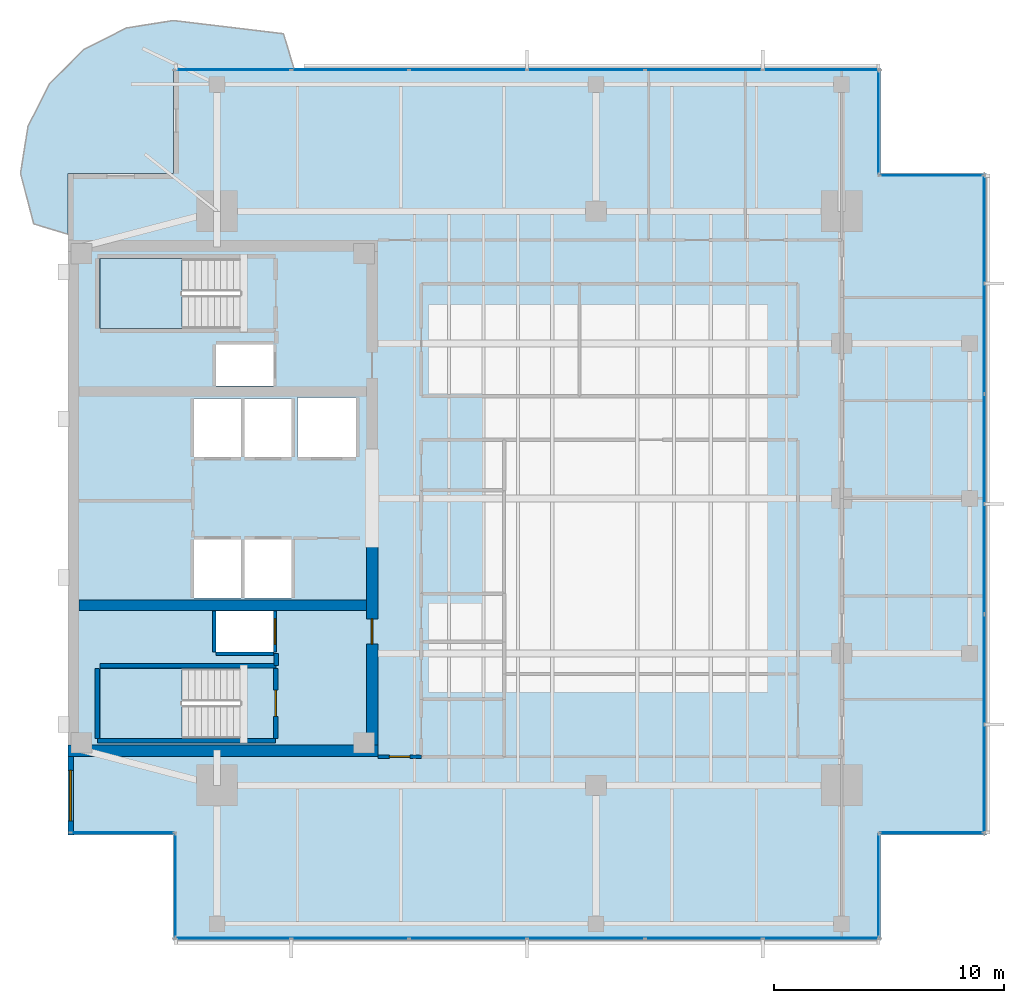
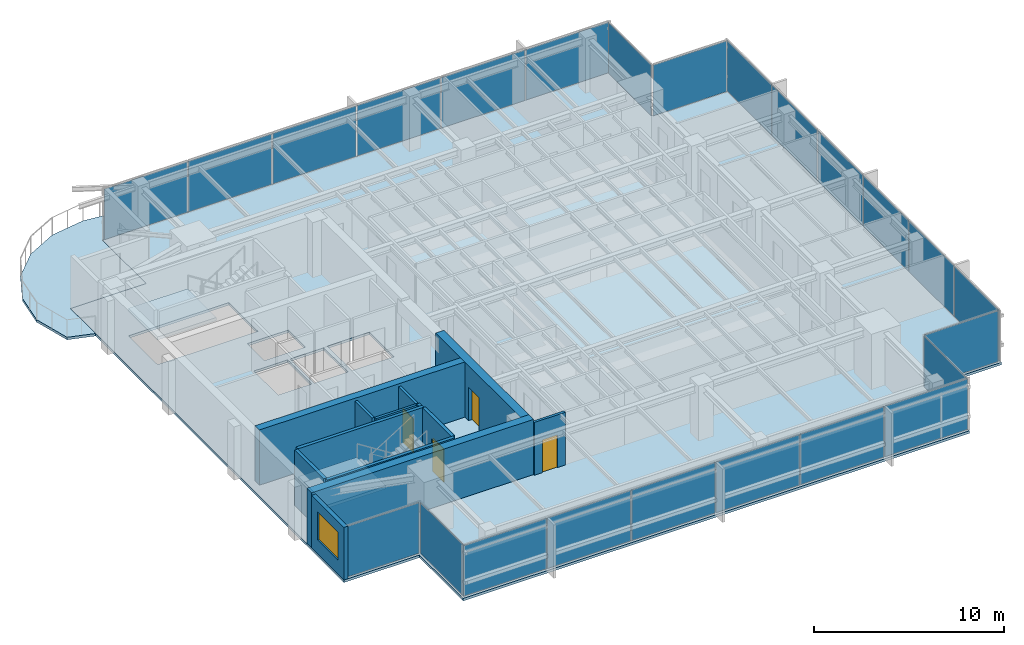
# One storey, part 7 of 14: 24 plates, 13 walls, 4 doors, 4 slabs, 1 window, 5 openings, 11 elements without a shape of their own.
"""IFC4 building model written with IfcOpenShell, lengths in metres."""

from ifc_helpers import new_model, si_unit, direction, frame, frame_2d, origin, origin_2d, place, context, subcontext, project, spatial, polyline, rectangle, outline, extrude, material, layer, layer_set, type_object, element, fill, aggregate, save


model = new_model("IFC4")

# Units and contexts
model_context = context("Model", 3, precision=1e-05, world=origin(), true_north=direction((0.0, 1.0)))
body_context = subcontext(model_context, "Body", "Model", "MODEL_VIEW")
ifc_project = project(units=[si_unit("LENGTHUNIT", "METRE"), si_unit("AREAUNIT", "SQUARE_METRE"), si_unit("VOLUMEUNIT", "CUBIC_METRE"), si_unit("PLANEANGLEUNIT", "RADIAN"), si_unit("MASSUNIT", "GRAM", prefix="KILO")], contexts=[model_context])

# Site, building, storey
site_placement = place(None, origin())
site = spatial("IfcSite", under=ifc_project, at=site_placement, CompositionType="ELEMENT")
building_placement = place(site_placement, origin())
building = spatial("IfcBuilding", under=site, at=building_placement, Name="Kinhvarn Gate Tower", CompositionType="ELEMENT")
storey_placement = place(building_placement, frame((0.0, 0.0, 281.199951171875)))
storey = spatial("IfcBuildingStorey", under=building, at=storey_placement, Name="L75", CompositionType="ELEMENT", Elevation=281.199951171875)

# Curtain wall, plates
ifc_material_1 = material(Name="Anodised aluminium AW-6063", Category="aluminium")
ifc_layer_1 = layer(ifc_material_1, 0.179931640625)
ifc_layer_set_1 = layer_set([ifc_layer_1], Name="Anodised aluminium AW-6063")
curtain_wall_type_1 = type_object("IfcCurtainWallType", Name="CW-SYS-3", PredefinedType="NOTDEFINED", material=ifc_layer_set_1)
curtain_wall_1_placement = place(storey_placement, origin())
curtain_wall_1 = element("IfcCurtainWall", 1, at=curtain_wall_1_placement, inside=storey, type_object=curtain_wall_type_1, Name="Curtain Wall CW3 (L75)", PredefinedType="NOTDEFINED")
ifc_material_2 = material(Name="Clear low-e double glazing", Category="glass")
ifc_layer_2 = layer(ifc_material_2, 0.031982421875)
ifc_layer_set_2 = layer_set([ifc_layer_2], Name="Clear low-e double glazing")
plate_type = type_object("IfcPlateType", Name="CW-PNL-VIS", PredefinedType="CURTAIN_PANEL", material=ifc_layer_set_2)
plate_1_placement = place(storey_placement, frame((11.682861328125, 6.090087890625, 0.070068359375), z_axis=(0.0, 0.0, 1.0), x_axis=(1.0, 0.0, 0.0)))
plate_1 = element("IfcPlate", 2, at=plate_1_placement, type_object=plate_type, Name="CW3 panel 1.1", PredefinedType="CURTAIN_PANEL", context=body_context, shape_type="SweptSolid", body=[
    extrude(rectangle(XDim=5.035888671875, YDim=0.031982421875, at=origin_2d()), origin(), (0.0, 0.0, 1.0), 3.25),
])
plate_2_placement = place(storey_placement, frame((16.800048828125, 6.090087890625, 0.070068359375), z_axis=(0.0, 0.0, 1.0), x_axis=(1.0, 0.0, 0.0)))
plate_2 = element("IfcPlate", 3, at=plate_2_placement, type_object=plate_type, Name="CW3 panel 2.1", PredefinedType="CURTAIN_PANEL", context=body_context, shape_type="SweptSolid", body=[
    extrude(rectangle(XDim=5.068359375, YDim=0.031982421875, at=origin_2d()), origin(), (0.0, 0.0, 1.0), 3.25),
])
plate_3_placement = place(storey_placement, frame((21.933349609375, 6.090087890625, 0.070068359375), z_axis=(0.0, 0.0, 1.0), x_axis=(1.0, 0.0, 0.0)))
plate_3 = element("IfcPlate", 4, at=plate_3_placement, type_object=plate_type, Name="CW3 panel 3.1", PredefinedType="CURTAIN_PANEL", context=body_context, shape_type="SweptSolid", body=[
    extrude(rectangle(XDim=5.068359375, YDim=0.031982421875, at=origin_2d()), origin(), (0.0, 0.0, 1.0), 3.25),
])
plate_4_placement = place(storey_placement, frame((27.066650390625, 6.090087890625, 0.070068359375), z_axis=(0.0, 0.0, 1.0), x_axis=(1.0, 0.0, 0.0)))
plate_4 = element("IfcPlate", 5, at=plate_4_placement, type_object=plate_type, Name="CW3 panel 4.1", PredefinedType="CURTAIN_PANEL", context=body_context, shape_type="SweptSolid", body=[
    extrude(rectangle(XDim=5.068359375, YDim=0.031982421875, at=origin_2d()), origin(), (0.0, 0.0, 1.0), 3.25),
])
plate_5_placement = place(storey_placement, frame((32.199951171875, 6.090087890625, 0.070068359375), z_axis=(0.0, 0.0, 1.0), x_axis=(1.0, 0.0, 0.0)))
plate_5 = element("IfcPlate", 6, at=plate_5_placement, type_object=plate_type, Name="CW3 panel 5.1", PredefinedType="CURTAIN_PANEL", context=body_context, shape_type="SweptSolid", body=[
    extrude(rectangle(XDim=5.068359375, YDim=0.031982421875, at=origin_2d()), origin(), (0.0, 0.0, 1.0), 3.25),
])
plate_6_placement = place(storey_placement, frame((37.317138671875, 6.090087890625, 0.070068359375), z_axis=(0.0, 0.0, 1.0), x_axis=(1.0, 0.0, 0.0)))
plate_6 = element("IfcPlate", 7, at=plate_6_placement, type_object=plate_type, Name="CW3 panel 6.1", PredefinedType="CURTAIN_PANEL", context=body_context, shape_type="SweptSolid", body=[
    extrude(rectangle(XDim=5.035888671875, YDim=0.031982421875, at=origin_2d()), origin(), (0.0, 0.0, 1.0), 3.25),
])
aggregate(curtain_wall_1, [plate_1, plate_2, plate_3, plate_4, plate_5, plate_6])

curtain_wall_2_placement = place(storey_placement, origin())
curtain_wall_2 = element("IfcCurtainWall", 8, at=curtain_wall_2_placement, inside=storey, type_object=curtain_wall_type_1, Name="Curtain Wall CW3 (L75)", PredefinedType="NOTDEFINED")
plate_7_placement = place(storey_placement, frame((37.317138671875, 43.909912109375, 0.070068359375), z_axis=(0.0, 0.0, 1.0), x_axis=(-1.0, 0.0, 0.0)))
plate_7 = element("IfcPlate", 9, at=plate_7_placement, type_object=plate_type, Name="CW3 panel 1.1", PredefinedType="CURTAIN_PANEL", context=body_context, shape_type="SweptSolid", body=[
    extrude(rectangle(XDim=5.035888671875, YDim=0.031982421875, at=origin_2d()), origin(), (0.0, 0.0, 1.0), 3.25),
])
plate_8_placement = place(storey_placement, frame((32.199951171875, 43.909912109375, 0.070068359375), z_axis=(0.0, 0.0, 1.0), x_axis=(-1.0, 0.0, 0.0)))
plate_8 = element("IfcPlate", 10, at=plate_8_placement, type_object=plate_type, Name="CW3 panel 2.1", PredefinedType="CURTAIN_PANEL", context=body_context, shape_type="SweptSolid", body=[
    extrude(rectangle(XDim=5.068359375, YDim=0.031982421875, at=origin_2d()), origin(), (0.0, 0.0, 1.0), 3.25),
])
plate_9_placement = place(storey_placement, frame((27.066650390625, 43.909912109375, 0.070068359375), z_axis=(0.0, 0.0, 1.0), x_axis=(-1.0, 0.0, 0.0)))
plate_9 = element("IfcPlate", 11, at=plate_9_placement, type_object=plate_type, Name="CW3 panel 3.1", PredefinedType="CURTAIN_PANEL", context=body_context, shape_type="SweptSolid", body=[
    extrude(rectangle(XDim=5.068359375, YDim=0.031982421875, at=origin_2d()), origin(), (0.0, 0.0, 1.0), 3.25),
])
plate_10_placement = place(storey_placement, frame((21.933349609375, 43.909912109375, 0.070068359375), z_axis=(0.0, 0.0, 1.0), x_axis=(-1.0, 0.0, 0.0)))
plate_10 = element("IfcPlate", 12, at=plate_10_placement, type_object=plate_type, Name="CW3 panel 4.1", PredefinedType="CURTAIN_PANEL", context=body_context, shape_type="SweptSolid", body=[
    extrude(rectangle(XDim=5.068359375, YDim=0.031982421875, at=origin_2d()), origin(), (0.0, 0.0, 1.0), 3.25),
])
plate_11_placement = place(storey_placement, frame((16.800048828125, 43.909912109375, 0.070068359375), z_axis=(0.0, 0.0, 1.0), x_axis=(-1.0, 0.0, 0.0)))
plate_11 = element("IfcPlate", 13, at=plate_11_placement, type_object=plate_type, Name="CW3 panel 5.1", PredefinedType="CURTAIN_PANEL", context=body_context, shape_type="SweptSolid", body=[
    extrude(rectangle(XDim=5.068359375, YDim=0.031982421875, at=origin_2d()), origin(), (0.0, 0.0, 1.0), 3.25),
])
plate_12_placement = place(storey_placement, frame((11.682861328125, 43.909912109375, 0.070068359375), z_axis=(0.0, 0.0, 1.0), x_axis=(-1.0, 0.0, 0.0)))
plate_12 = element("IfcPlate", 14, at=plate_12_placement, type_object=plate_type, Name="CW3 panel 6.1", PredefinedType="CURTAIN_PANEL", context=body_context, shape_type="SweptSolid", body=[
    extrude(rectangle(XDim=5.035888671875, YDim=0.031982421875, at=origin_2d()), origin(), (0.0, 0.0, 1.0), 3.25),
])
aggregate(curtain_wall_2, [plate_7, plate_8, plate_9, plate_10, plate_11, plate_12])

curtain_wall_3_placement = place(storey_placement, origin())
curtain_wall_3 = element("IfcCurtainWall", 15, at=curtain_wall_3_placement, inside=storey, type_object=curtain_wall_type_1, Name="Curtain Wall CW3 (L75)", PredefinedType="NOTDEFINED")
plate_13_placement = place(storey_placement, frame((44.409912109375, 13.016357421875, 0.070068359375), z_axis=(0.0, 0.0, 1.0), x_axis=(0.0, 1.0, 0.0)))
plate_13 = element("IfcPlate", 16, at=plate_13_placement, type_object=plate_type, Name="CW3 panel 1.1", PredefinedType="CURTAIN_PANEL", context=body_context, shape_type="SweptSolid", body=[
    extrude(rectangle(XDim=4.702392578125, YDim=0.031982421875, at=origin_2d()), origin(), (0.0, 0.0, 1.0), 3.25),
])
plate_14_placement = place(storey_placement, frame((44.409912109375, 17.800048828125, 0.070068359375), z_axis=(0.0, 0.0, 1.0), x_axis=(0.0, 1.0, 0.0)))
plate_14 = element("IfcPlate", 17, at=plate_14_placement, type_object=plate_type, Name="CW3 panel 2.1", PredefinedType="CURTAIN_PANEL", context=body_context, shape_type="SweptSolid", body=[
    extrude(rectangle(XDim=4.735107421875, YDim=0.031982421875, at=origin_2d()), origin(), (0.0, 0.0, 1.0), 3.25),
])
plate_15_placement = place(storey_placement, frame((44.409912109375, 22.60009765625, 0.070068359375), z_axis=(0.0, 0.0, 1.0), x_axis=(0.0, 1.0, 0.0)))
plate_15 = element("IfcPlate", 18, at=plate_15_placement, type_object=plate_type, Name="CW3 panel 3.1", PredefinedType="CURTAIN_PANEL", context=body_context, shape_type="SweptSolid", body=[
    extrude(rectangle(XDim=4.735107421875, YDim=0.031982421875, at=origin_2d()), origin(), (0.0, 0.0, 1.0), 3.25),
])
plate_16_placement = place(storey_placement, frame((44.409912109375, 27.39990234375, 0.070068359375), z_axis=(0.0, 0.0, 1.0), x_axis=(0.0, 1.0, 0.0)))
plate_16 = element("IfcPlate", 19, at=plate_16_placement, type_object=plate_type, Name="CW3 panel 4.1", PredefinedType="CURTAIN_PANEL", context=body_context, shape_type="SweptSolid", body=[
    extrude(rectangle(XDim=4.735107421875, YDim=0.031982421875, at=origin_2d()), origin(), (0.0, 0.0, 1.0), 3.25),
])
plate_17_placement = place(storey_placement, frame((44.409912109375, 32.199951171875, 0.070068359375), z_axis=(0.0, 0.0, 1.0), x_axis=(0.0, 1.0, 0.0)))
plate_17 = element("IfcPlate", 20, at=plate_17_placement, type_object=plate_type, Name="CW3 panel 5.1", PredefinedType="CURTAIN_PANEL", context=body_context, shape_type="SweptSolid", body=[
    extrude(rectangle(XDim=4.735107421875, YDim=0.031982421875, at=origin_2d()), origin(), (0.0, 0.0, 1.0), 3.25),
])
plate_18_placement = place(storey_placement, frame((44.409912109375, 36.983642578125, 0.070068359375), z_axis=(0.0, 0.0, 1.0), x_axis=(0.0, 1.0, 0.0)))
plate_18 = element("IfcPlate", 21, at=plate_18_placement, type_object=plate_type, Name="CW3 panel 6.1", PredefinedType="CURTAIN_PANEL", context=body_context, shape_type="SweptSolid", body=[
    extrude(rectangle(XDim=4.702392578125, YDim=0.031982421875, at=origin_2d()), origin(), (0.0, 0.0, 1.0), 3.25),
])
aggregate(curtain_wall_3, [plate_13, plate_14, plate_15, plate_16, plate_17, plate_18])

# Curtain wall, plate
ifc_layer_3 = layer(ifc_material_1, 0.179931640625)
ifc_layer_set_3 = layer_set([ifc_layer_3], Name="Anodised aluminium AW-6063")
curtain_wall_type_2 = type_object("IfcCurtainWallType", Name="CW-SYS-4", PredefinedType="NOTDEFINED", material=ifc_layer_set_3)
curtain_wall_4_placement = place(storey_placement, origin())
curtain_wall_4 = element("IfcCurtainWall", 22, at=curtain_wall_4_placement, inside=storey, type_object=curtain_wall_type_2, Name="Curtain Wall CW4 (L75)", PredefinedType="NOTDEFINED")
plate_19_placement = place(storey_placement, frame((6.889892578125, 10.68994140625, 0.06494140625), z_axis=(0.0, 0.0, 1.0), x_axis=(1.0, 0.0, 0.0)))
plate_19 = element("IfcPlate", 23, at=plate_19_placement, type_object=plate_type, Name="CW4 panel 1.1", PredefinedType="CURTAIN_PANEL", context=body_context, shape_type="SweptSolid", body=[
    extrude(rectangle(XDim=4.469970703125, YDim=0.031982421875, at=origin_2d()), origin(), (0.0, 0.0, 1.0), 3.260009765625),
])
aggregate(curtain_wall_4, [plate_19])

curtain_wall_5_placement = place(storey_placement, origin())
curtain_wall_5 = element("IfcCurtainWall", 24, at=curtain_wall_5_placement, inside=storey, type_object=curtain_wall_type_2, Name="Curtain Wall CW4 (L75)", PredefinedType="NOTDEFINED")
plate_20_placement = place(storey_placement, frame((9.18994140625, 8.389892578125, 0.06494140625), z_axis=(0.0, 0.0, 1.0), x_axis=(0.0, -1.0, 0.0)))
plate_20 = element("IfcPlate", 25, at=plate_20_placement, type_object=plate_type, Name="CW4 panel 1.1", PredefinedType="CURTAIN_PANEL", context=body_context, shape_type="SweptSolid", body=[
    extrude(rectangle(XDim=4.469970703125, YDim=0.031982421875, at=origin_2d()), origin(), (0.0, 0.0, 1.0), 3.260009765625),
])
aggregate(curtain_wall_5, [plate_20])

curtain_wall_6_placement = place(storey_placement, origin())
curtain_wall_6 = element("IfcCurtainWall", 26, at=curtain_wall_6_placement, inside=storey, type_object=curtain_wall_type_2, Name="Curtain Wall CW4 (L75)", PredefinedType="NOTDEFINED")
plate_21_placement = place(storey_placement, frame((39.81005859375, 8.389892578125, 0.06494140625), z_axis=(0.0, 0.0, 1.0), x_axis=(0.0, 1.0, 0.0)))
plate_21 = element("IfcPlate", 27, at=plate_21_placement, type_object=plate_type, Name="CW4 panel 1.1", PredefinedType="CURTAIN_PANEL", context=body_context, shape_type="SweptSolid", body=[
    extrude(rectangle(XDim=4.469970703125, YDim=0.031982421875, at=origin_2d()), origin(), (0.0, 0.0, 1.0), 3.260009765625),
])
aggregate(curtain_wall_6, [plate_21])

curtain_wall_7_placement = place(storey_placement, origin())
curtain_wall_7 = element("IfcCurtainWall", 28, at=curtain_wall_7_placement, inside=storey, type_object=curtain_wall_type_2, Name="Curtain Wall CW4 (L75)", PredefinedType="NOTDEFINED")
plate_22_placement = place(storey_placement, frame((42.110107421875, 10.68994140625, 0.06494140625), z_axis=(0.0, 0.0, 1.0), x_axis=(1.0, 0.0, 0.0)))
plate_22 = element("IfcPlate", 29, at=plate_22_placement, type_object=plate_type, Name="CW4 panel 1.1", PredefinedType="CURTAIN_PANEL", context=body_context, shape_type="SweptSolid", body=[
    extrude(rectangle(XDim=4.469970703125, YDim=0.031982421875, at=origin_2d()), origin(), (0.0, 0.0, 1.0), 3.260009765625),
])
aggregate(curtain_wall_7, [plate_22])

curtain_wall_8_placement = place(storey_placement, origin())
curtain_wall_8 = element("IfcCurtainWall", 30, at=curtain_wall_8_placement, inside=storey, type_object=curtain_wall_type_2, Name="Curtain Wall CW4 (L75)", PredefinedType="NOTDEFINED")
plate_23_placement = place(storey_placement, frame((42.110107421875, 39.31005859375, 0.06494140625), z_axis=(0.0, 0.0, 1.0), x_axis=(-1.0, 0.0, 0.0)))
plate_23 = element("IfcPlate", 31, at=plate_23_placement, type_object=plate_type, Name="CW4 panel 1.1", PredefinedType="CURTAIN_PANEL", context=body_context, shape_type="SweptSolid", body=[
    extrude(rectangle(XDim=4.469970703125, YDim=0.031982421875, at=origin_2d()), origin(), (0.0, 0.0, 1.0), 3.260009765625),
])
aggregate(curtain_wall_8, [plate_23])

curtain_wall_9_placement = place(storey_placement, origin())
curtain_wall_9 = element("IfcCurtainWall", 32, at=curtain_wall_9_placement, inside=storey, type_object=curtain_wall_type_2, Name="Curtain Wall CW4 (L75)", PredefinedType="NOTDEFINED")
plate_24_placement = place(storey_placement, frame((39.81005859375, 41.610107421875, 0.06494140625), z_axis=(0.0, 0.0, 1.0), x_axis=(0.0, 1.0, 0.0)))
plate_24 = element("IfcPlate", 33, at=plate_24_placement, type_object=plate_type, Name="CW4 panel 1.1", PredefinedType="CURTAIN_PANEL", context=body_context, shape_type="SweptSolid", body=[
    extrude(rectangle(XDim=4.469970703125, YDim=0.031982421875, at=origin_2d()), origin(), (0.0, 0.0, 1.0), 3.260009765625),
])
aggregate(curtain_wall_9, [plate_24])

# Slabs
ifc_material_3 = material(Name="Precast white architectural concrete C40/50", Category="concrete")
ifc_layer_4 = layer(ifc_material_3, 0.159912109375)
ifc_layer_set_4 = layer_set([ifc_layer_4], Name="Precast white architectural concrete C40/50")
slab_type_1 = type_object("IfcSlabType", Name="SLB-BAL-160", PredefinedType="FLOOR", material=ifc_layer_set_4)
slab_1_placement = place(storey_placement, frame((0.0, 0.0, -0.159912109375)))
element("IfcSlab", 34, at=slab_1_placement, inside=storey, type_object=slab_type_1, Name="S-Carve Curved Terrace Balcony Slab L75 (NW)", PredefinedType="FLOOR", context=body_context, shape_type="SweptSolid", body=[
    extrude(outline(polyline([(14.342041015625, 44.0), (13.89208984375, 45.480224609375), (9.10009765625, 46.055908203125), (7.043212890625, 45.730224609375), (5.187744140625, 44.784912109375), (3.715087890625, 43.312255859375), (2.769775390625, 41.456787109375), (2.444091796875, 39.39990234375), (3.019775390625, 37.201904296875), (4.5, 36.751953125), (4.5, 39.39990234375), (9.10009765625, 39.39990234375), (9.10009765625, 44.0), (14.342041015625, 44.0)])), origin(), (0.0, 0.0, 1.0), 0.159912109375),
])
ifc_material_4 = material(Name="Concrete C40/50", Category="concrete")
ifc_layer_5 = layer(ifc_material_4, 0.159912109375)
ifc_layer_set_5 = layer_set([ifc_layer_5], Name="Concrete C40/50")
slab_type_2 = type_object("IfcSlabType", Name="SLB-FLR-160", PredefinedType="FLOOR", material=ifc_layer_set_5)
slab_2_placement = place(storey_placement, frame((0.0, 0.0, -0.159912109375)))
element("IfcSlab", 35, at=slab_2_placement, inside=storey, type_object=slab_type_2, Name="Suspended Floor Slab L75", PredefinedType="FLOOR", context=body_context, shape_type="SweptSolid", body=[
    extrude(outline(polyline([(9.10009765625, 6.0), (39.89990234375, 6.0), (39.89990234375, 10.60009765625), (44.5, 10.60009765625), (44.5, 39.39990234375), (39.89990234375, 39.39990234375), (39.89990234375, 44.0), (9.10009765625, 44.0), (9.10009765625, 39.39990234375), (4.5, 39.39990234375), (4.5, 10.60009765625), (9.10009765625, 10.60009765625), (9.10009765625, 6.0)]), holes=[polyline([(5.89990234375, 14.800048828125), (12.0, 14.800048828125), (12.0, 17.85009765625), (5.89990234375, 17.85009765625), (5.89990234375, 14.800048828125)]), polyline([(5.89990234375, 32.64990234375), (12.0, 32.64990234375), (12.0, 35.699951171875), (5.89990234375, 35.699951171875), (5.89990234375, 32.64990234375)]), polyline([(10.0, 20.89990234375), (12.050048828125, 20.89990234375), (12.050048828125, 23.449951171875), (10.0, 23.449951171875), (10.0, 20.89990234375)]), polyline([(12.199951171875, 20.89990234375), (14.25, 20.89990234375), (14.25, 23.449951171875), (12.199951171875, 23.449951171875), (12.199951171875, 20.89990234375)]), polyline([(10.0, 27.050048828125), (12.050048828125, 27.050048828125), (12.050048828125, 29.60009765625), (10.0, 29.60009765625), (10.0, 27.050048828125)]), polyline([(12.199951171875, 27.050048828125), (14.25, 27.050048828125), (14.25, 29.60009765625), (12.199951171875, 29.60009765625), (12.199951171875, 27.050048828125)]), polyline([(14.5, 27.050048828125), (17.050048828125, 27.050048828125), (17.050048828125, 29.64990234375), (14.5, 29.64990234375), (14.5, 27.050048828125)]), polyline([(10.949951171875, 18.550048828125), (13.449951171875, 18.550048828125), (13.449951171875, 20.35009765625), (10.949951171875, 20.35009765625), (10.949951171875, 18.550048828125)]), polyline([(10.949951171875, 30.14990234375), (13.449951171875, 30.14990234375), (13.449951171875, 31.949951171875), (10.949951171875, 31.949951171875), (10.949951171875, 30.14990234375)])]), origin(), (0.0, 0.0, 1.0), 0.159912109375),
])

# Stair, slab
stair_type = type_object("IfcStairType", Name="STR-DLG-178", PredefinedType="HALF_TURN_STAIR", material=ifc_material_4)
stair_1_placement = place(storey_placement, origin())
stair_1 = element("IfcStair", 36, at=stair_1_placement, inside=storey, type_object=stair_type, Name="L75 Core Smokeproof Exit Stair ST1", PredefinedType="HALF_TURN_STAIR")
ifc_layer_6 = layer(ifc_material_4, 0.199951171875)
ifc_layer_set_6 = layer_set([ifc_layer_6], Name="Concrete C40/50")
slab_type_3 = type_object("IfcSlabType", Name="SLB-ST-LND", PredefinedType="LANDING", material=ifc_layer_set_6)
slab_3_placement = place(storey_placement, frame((0.0, 0.0, 1.574951171875)))
slab_3 = element("IfcSlab", 37, at=slab_3_placement, type_object=slab_type_3, Name="ST1 landing 1", PredefinedType="LANDING", context=body_context, shape_type="SweptSolid", body=[
    extrude(outline(polyline([(9.47998046875, 17.85009765625), (5.89990234375, 17.85009765625), (5.89990234375, 14.800048828125), (9.47998046875, 14.800048828125), (9.47998046875, 17.85009765625)])), origin(), (0.0, 0.0, 1.0), 0.2001953125),
])
aggregate(stair_1, [slab_3])

stair_2_placement = place(storey_placement, origin())
stair_2 = element("IfcStair", 38, at=stair_2_placement, inside=storey, type_object=stair_type, Name="L75 Core Smokeproof Exit Stair ST2", PredefinedType="HALF_TURN_STAIR")
slab_4_placement = place(storey_placement, frame((0.0, 0.0, 1.574951171875)))
slab_4 = element("IfcSlab", 39, at=slab_4_placement, type_object=slab_type_3, Name="ST2 landing 1", PredefinedType="LANDING", context=body_context, shape_type="SweptSolid", body=[
    extrude(outline(polyline([(9.47998046875, 35.699951171875), (5.89990234375, 35.699951171875), (5.89990234375, 32.64990234375), (9.47998046875, 32.64990234375), (9.47998046875, 35.699951171875)])), origin(), (0.0, 0.0, 1.0), 0.2001953125),
])
aggregate(stair_2, [slab_4])

# Walls
ifc_material_5 = material(Name="Concrete C50/60", Category="concrete")
ifc_layer_7 = layer(ifc_material_5, 0.449951171875)
ifc_layer_set_7 = layer_set([ifc_layer_7], Name="Concrete C50/60")
wall_type_1 = type_object("IfcWallType", Name="WL-CORE-450", PredefinedType="SHEAR", material=ifc_layer_set_7)
wall_1_placement = place(storey_placement, frame((5.0, 20.60009765625, 0.0), z_axis=(0.0, 0.0, 1.0), x_axis=(1.0, 0.0, 0.0)))
element("IfcWall", 40, at=wall_1_placement, inside=storey, type_object=wall_type_1, Name="Core South Spine Shear Wall L75 450 mm", PredefinedType="SHEAR", context=body_context, shape_type="SweptSolid", body=[
    extrude(rectangle(XDim=12.5, YDim=0.449951171875, at=frame_2d((6.25, 0.0))), origin(), (0.0, 0.0, 1.0), 3.550048828125),
])
ifc_layer_8 = layer(ifc_material_5, 0.5)
ifc_layer_set_8 = layer_set([ifc_layer_8], Name="Concrete C50/60")
wall_type_2 = type_object("IfcWallType", Name="WL-CORE-500", PredefinedType="SHEAR", material=ifc_layer_set_8)
wall_2_placement = place(storey_placement, frame((4.5, 14.25, 0.0), z_axis=(0.0, 0.0, 1.0), x_axis=(1.0, 0.0, 0.0)))
element("IfcWall", 41, at=wall_2_placement, inside=storey, type_object=wall_type_2, Name="Core South Shear Wall L75 500 mm", PredefinedType="SHEAR", context=body_context, shape_type="SweptSolid", body=[
    extrude(rectangle(XDim=13.5, YDim=0.5, at=frame_2d((6.75, 0.0))), origin(), (0.0, 0.0, 1.0), 3.550048828125),
])

# Wall, opening, door
wall_3_placement = place(storey_placement, frame((17.75, 14.5, 0.0), z_axis=(0.0, 0.0, 1.0), x_axis=(0.0, 1.0, 0.0)))
wall_3 = element("IfcWall", 42, at=wall_3_placement, inside=storey, type_object=wall_type_2, Name="Core East-South Shear Pier L75 500 mm", PredefinedType="SHEAR", context=body_context, shape_type="SweptSolid", body=[
    extrude(rectangle(XDim=8.949951171875, YDim=0.5, at=frame_2d((4.47509765625, 0.0))), origin(), (0.0, 0.0, 1.0), 3.550048828125),
])
opening_1_placement = place(wall_3_placement, frame((4.39990234375, 0.0, 0.0)))
opening_1 = element("IfcOpeningElement", 43, at=opening_1_placement, cuts=wall_3, Name="Opening FD-02", PredefinedType="OPENING", context=body_context, shape_type="SweptSolid", body=[
    extrude(rectangle(XDim=1.10009765625, YDim=2.14990234375, at=frame_2d((0.550048828125, 1.074951171875))), frame((0.0, 0.260009765625, 0.0), z_axis=(0.0, -1.0, 0.0), x_axis=(1.0, 0.0, 0.0)), (0.0, 0.0, 1.0), 0.52001953125),
])
door_type_1 = type_object("IfcDoorType", Name="DR-FD-1100", OperationType="NOTDEFINED", PredefinedType="DOOR", material=ifc_material_1)
door_1_placement = place(opening_1_placement, origin())
door_1 = element("IfcDoor", 44, at=door_1_placement, inside=storey, type_object=door_type_1, Name="Firefighting Lobby Core Door (L75)", OperationType="SINGLE_SWING_RIGHT", OverallHeight=2.14990234375, OverallWidth=1.10009765625, PredefinedType="DOOR", context=body_context, shape_type="SweptSolid", body=[
    extrude(rectangle(XDim=1.10009765625, YDim=2.14990234375, at=frame_2d((0.550048828125, 1.074951171875))), frame((0.0, 0.02490234375, 0.0), z_axis=(0.0, -1.0, 0.0), x_axis=(1.0, 0.0, 0.0)), (0.0, 0.0, 1.0), 0.050048828125),
])
fill(opening_1, door_1)

# Wall, opening, window
ifc_material_6 = material(Name="Fired architectural terracotta", Category="masonry")
ifc_layer_9 = layer(ifc_material_6, 0.25)
ifc_layer_set_9 = layer_set([ifc_layer_9], Name="Fired architectural terracotta")
wall_type_3 = type_object("IfcWallType", Name="WL-EXT-250", PredefinedType="SOLIDWALL", material=ifc_layer_set_9)
wall_4_placement = place(storey_placement, frame((4.625, 14.0, 0.0), z_axis=(0.0, 0.0, 1.0), x_axis=(0.0, -1.0, 0.0)))
wall_4 = element("IfcWall", 45, at=wall_4_placement, inside=storey, type_object=wall_type_3, Name="Exterior Solidwall Wall EW-250 (L75 West-South)", PredefinedType="SOLIDWALL", context=body_context, shape_type="SweptSolid", body=[
    extrude(rectangle(XDim=3.39990234375, YDim=0.25, at=frame_2d((1.699951171875, 0.0))), origin(), (0.0, 0.0, 1.0), 3.39013671875),
])
opening_2_placement = place(wall_4_placement, frame((0.60009765625, 0.0, 0.89990234375)))
opening_2 = element("IfcOpeningElement", 46, at=opening_2_placement, cuts=wall_4, Name="Opening WN-01", PredefinedType="OPENING", context=body_context, shape_type="SweptSolid", body=[
    extrude(rectangle(XDim=2.199951171875, YDim=1.800048828125, at=frame_2d((1.10009765625, 0.89990234375))), frame((0.0, 0.135009765625, 0.0), z_axis=(0.0, -1.0, 0.0), x_axis=(1.0, 0.0, 0.0)), (0.0, 0.0, 1.0), 0.27001953125),
])
window_type = type_object("IfcWindowType", Name="WIN-RIB-2200", PartitioningType="SINGLE_PANEL", PredefinedType="WINDOW", material=ifc_material_2)
window_placement = place(opening_2_placement, origin())
window = element("IfcWindow", 47, at=window_placement, inside=storey, type_object=window_type, Name="West Flank Double-Glazed Ribbon Window 2200x1800 mm (L75)", OverallHeight=1.800048828125, OverallWidth=2.199951171875, PartitioningType="SINGLE_PANEL", PredefinedType="WINDOW", context=body_context, shape_type="SweptSolid", body=[
    extrude(rectangle(XDim=2.199951171875, YDim=1.800048828125, at=frame_2d((1.10009765625, 0.89990234375))), frame((0.0, 0.030029296875, 0.0), z_axis=(0.0, -1.0, 0.0), x_axis=(1.0, 0.0, 0.0)), (0.0, 0.0, 1.0), 0.06005859375),
])
fill(opening_2, window)

# Wall, opening, door
ifc_material_7 = material(Name="Gypsum acoustic partition board")
ifc_layer_10 = layer(ifc_material_7, 0.14990234375)
ifc_layer_set_10 = layer_set([ifc_layer_10], Name="Gypsum acoustic partition board")
wall_type_4 = type_object("IfcWallType", Name="WL-PRT-150F", PredefinedType="PARTITIONING", material=ifc_layer_set_10)
wall_5_placement = place(storey_placement, frame((18.0, 14.0, 0.0), z_axis=(0.0, 0.0, 1.0), x_axis=(1.0, 0.0, 0.0)))
wall_5 = element("IfcWall", 48, at=wall_5_placement, inside=storey, type_object=wall_type_4, Name="Interior Partition PW-150F (L75)", PredefinedType="PARTITIONING", context=body_context, shape_type="SweptSolid", body=[
    extrude(rectangle(XDim=1.89990234375, YDim=0.14990234375, at=frame_2d((0.949951171875, 0.0))), origin(), (0.0, 0.0, 1.0), 3.39013671875),
])
opening_3_placement = place(wall_5_placement, frame((0.5, 0.0, 0.0)))
opening_3 = element("IfcOpeningElement", 49, at=opening_3_placement, cuts=wall_5, Name="Opening ID-03", PredefinedType="OPENING", context=body_context, shape_type="SweptSolid", body=[
    extrude(rectangle(XDim=0.89990234375, YDim=2.10009765625, at=frame_2d((0.449951171875, 1.050048828125))), frame((0.0, 0.0849609375, 0.0), z_axis=(0.0, -1.0, 0.0), x_axis=(1.0, 0.0, 0.0)), (0.0, 0.0, 1.0), 0.169921875),
])
door_type_2 = type_object("IfcDoorType", Name="DR-INT-900", OperationType="NOTDEFINED", PredefinedType="DOOR", material=ifc_material_1)
door_2_placement = place(opening_3_placement, origin())
door_2 = element("IfcDoor", 50, at=door_2_placement, inside=storey, type_object=door_type_2, Name="Cellular Office & Restroom Door 900x2100 mm (L75)", OperationType="SINGLE_SWING_LEFT", OverallHeight=2.10009765625, OverallWidth=0.89990234375, PredefinedType="DOOR", context=body_context, shape_type="SweptSolid", body=[
    extrude(rectangle(XDim=0.89990234375, YDim=2.10009765625, at=frame_2d((0.449951171875, 1.050048828125))), frame((0.0, 0.02490234375, 0.0), z_axis=(0.0, -1.0, 0.0), x_axis=(1.0, 0.0, 0.0)), (0.0, 0.0, 1.0), 0.050048828125),
])
fill(opening_3, door_2)

# Walls
ifc_layer_11 = layer(ifc_material_7, 0.199951171875)
ifc_layer_set_11 = layer_set([ifc_layer_11], Name="Gypsum acoustic partition board")
wall_type_5 = type_object("IfcWallType", Name="WL-PRT-200", PredefinedType="PARTITIONING", material=ifc_layer_set_11)
wall_6_placement = place(storey_placement, frame((13.580078125, 17.9599609375, 0.0), z_axis=(0.0, 0.0, 1.0), x_axis=(0.0, 1.0, 0.0)))
element("IfcWall", 51, at=wall_6_placement, inside=storey, type_object=wall_type_5, Name="Interior Partition PW-200 (L75)", PredefinedType="PARTITIONING", context=body_context, shape_type="SweptSolid", body=[
    extrude(rectangle(XDim=0.5400390625, YDim=0.199951171875, at=frame_2d((0.27001953125, 0.0))), origin(), (0.0, 0.0, 1.0), 3.39013671875),
])
ifc_layer_12 = layer(ifc_material_7, 0.14990234375)
ifc_layer_set_12 = layer_set([ifc_layer_12], Name="Gypsum acoustic partition board")
wall_type_6 = type_object("IfcWallType", Name="WL-SHF-150", PredefinedType="PARTITIONING", material=ifc_layer_set_12)
wall_7_placement = place(storey_placement, frame((10.949951171875, 18.47509765625, 0.0), z_axis=(0.0, 0.0, 1.0), x_axis=(1.0, 0.0, 0.0)))
element("IfcWall", 52, at=wall_7_placement, inside=storey, type_object=wall_type_6, Name="Elevator FF1 Hoistway Wall S (L75)", PredefinedType="PARTITIONING", context=body_context, shape_type="SweptSolid", body=[
    extrude(rectangle(XDim=2.5, YDim=0.14990234375, at=frame_2d((1.25, 0.0))), origin(), (0.0, 0.0, 1.0), 3.39013671875),
])
wall_8_placement = place(storey_placement, frame((10.875, 18.550048828125, 0.0), z_axis=(0.0, 0.0, 1.0), x_axis=(0.0, 1.0, 0.0)))
element("IfcWall", 53, at=wall_8_placement, inside=storey, type_object=wall_type_6, Name="Elevator FF1 Hoistway Wall W (L75)", PredefinedType="PARTITIONING", context=body_context, shape_type="SweptSolid", body=[
    extrude(rectangle(XDim=1.800048828125, YDim=0.14990234375, at=frame_2d((0.89990234375, 0.0))), origin(), (0.0, 0.0, 1.0), 3.39013671875),
])

# Wall, opening, door
wall_9_placement = place(storey_placement, frame((13.52490234375, 18.550048828125, 0.0), z_axis=(0.0, 0.0, 1.0), x_axis=(0.0, 1.0, 0.0)))
wall_9 = element("IfcWall", 54, at=wall_9_placement, inside=storey, type_object=wall_type_6, Name="Elevator FF1 Landing Wall (L75)", PredefinedType="PARTITIONING", context=body_context, shape_type="SweptSolid", body=[
    extrude(rectangle(XDim=1.800048828125, YDim=0.14990234375, at=frame_2d((0.89990234375, 0.0))), origin(), (0.0, 0.0, 1.0), 3.39013671875),
])
opening_4_placement = place(wall_9_placement, frame((0.35009765625, 0.0, 0.0)))
opening_4 = element("IfcOpeningElement", 55, at=opening_4_placement, cuts=wall_9, Name="Opening LD-03", PredefinedType="OPENING", context=body_context, shape_type="SweptSolid", body=[
    extrude(rectangle(XDim=1.10009765625, YDim=2.199951171875, at=frame_2d((0.550048828125, 1.10009765625))), frame((0.0, 0.0849609375, 0.0), z_axis=(0.0, -1.0, 0.0), x_axis=(1.0, 0.0, 0.0)), (0.0, 0.0, 1.0), 0.169921875),
])
door_type_3 = type_object("IfcDoorType", Name="DR-LND-FF", OperationType="NOTDEFINED", PredefinedType="DOOR", material=ifc_material_1)
door_3_placement = place(opening_4_placement, origin())
door_3 = element("IfcDoor", 56, at=door_3_placement, inside=storey, type_object=door_type_3, Name="Elevator FF1 Sliding Landing Door (L75)", OperationType="DOUBLE_DOOR_SLIDING", OverallHeight=2.199951171875, OverallWidth=1.10009765625, PredefinedType="DOOR", context=body_context, shape_type="SweptSolid", body=[
    extrude(rectangle(XDim=1.10009765625, YDim=2.199951171875, at=frame_2d((0.550048828125, 1.10009765625))), frame((0.0, 0.02490234375, 0.0), z_axis=(0.0, -1.0, 0.0), x_axis=(1.0, 0.0, 0.0)), (0.0, 0.0, 1.0), 0.050048828125),
])
fill(opening_4, door_3)

# Walls
ifc_layer_13 = layer(ifc_material_4, 0.199951171875)
ifc_layer_set_13 = layer_set([ifc_layer_13], Name="Concrete C40/50")
wall_type_7 = type_object("IfcWallType", Name="WL-SHF-200", PredefinedType="SOLIDWALL", material=ifc_layer_set_13)
wall_10_placement = place(storey_placement, frame((5.800048828125, 14.699951171875, 0.0), z_axis=(0.0, 0.0, 1.0), x_axis=(1.0, 0.0, 0.0)))
element("IfcWall", 57, at=wall_10_placement, inside=storey, type_object=wall_type_7, Name="Stair ST1 South Shaft Wall (L75)", PredefinedType="SOLIDWALL", context=body_context, shape_type="SweptSolid", body=[
    extrude(rectangle(XDim=7.75, YDim=0.199951171875, at=frame_2d((3.875, 0.0))), origin(), (0.0, 0.0, 1.0), 3.550048828125),
])
wall_11_placement = place(storey_placement, frame((5.7900390625, 14.800048828125, 0.0), z_axis=(0.0, 0.0, 1.0), x_axis=(0.0, 1.0, 0.0)))
element("IfcWall", 58, at=wall_11_placement, inside=storey, type_object=wall_type_7, Name="Stair ST1 West Shaft Wall (L75)", PredefinedType="SOLIDWALL", context=body_context, shape_type="SweptSolid", body=[
    extrude(rectangle(XDim=3.050048828125, YDim=0.199951171875, at=frame_2d((1.52490234375, 0.0))), origin(), (0.0, 0.0, 1.0), 3.550048828125),
])
wall_12_placement = place(storey_placement, frame((5.89990234375, 17.9599609375, 0.0), z_axis=(0.0, 0.0, 1.0), x_axis=(1.0, 0.0, 0.0)))
element("IfcWall", 59, at=wall_12_placement, inside=storey, type_object=wall_type_7, Name="Stair ST1 North Shaft Wall (L75)", PredefinedType="SOLIDWALL", context=body_context, shape_type="SweptSolid", body=[
    extrude(rectangle(XDim=7.66015625, YDim=0.199951171875, at=frame_2d((3.830078125, 0.0))), origin(), (0.0, 0.0, 1.0), 3.550048828125),
])

# Wall, opening, door
wall_13_placement = place(storey_placement, frame((13.56005859375, 14.800048828125, 0.0), z_axis=(0.0, 0.0, 1.0), x_axis=(0.0, 1.0, 0.0)))
wall_13 = element("IfcWall", 60, at=wall_13_placement, inside=storey, type_object=wall_type_7, Name="Stair ST1 East Entry Wall (L75)", PredefinedType="SOLIDWALL", context=body_context, shape_type="SweptSolid", body=[
    extrude(rectangle(XDim=3.050048828125, YDim=0.199951171875, at=frame_2d((1.52490234375, 0.0))), origin(), (0.0, 0.0, 1.0), 3.550048828125),
])
opening_5_placement = place(wall_13_placement, frame((0.949951171875, 0.0, 0.0)))
opening_5 = element("IfcOpeningElement", 61, at=opening_5_placement, cuts=wall_13, Name="Opening FD-01", PredefinedType="OPENING", context=body_context, shape_type="SweptSolid", body=[
    extrude(rectangle(XDim=1.14990234375, YDim=2.14990234375, at=frame_2d((0.574951171875, 1.074951171875))), frame((0.0, 0.10986328125, 0.0), z_axis=(0.0, -1.0, 0.0), x_axis=(1.0, 0.0, 0.0)), (0.0, 0.0, 1.0), 0.219970703125),
])
door_type_4 = type_object("IfcDoorType", Name="DR-ST-1150", OperationType="NOTDEFINED", PredefinedType="DOOR", material=ifc_material_1)
door_4_placement = place(opening_5_placement, origin())
door_4 = element("IfcDoor", 62, at=door_4_placement, inside=storey, type_object=door_type_4, Name="Exit Stair ST1 Fire Door (L75)", OperationType="SINGLE_SWING_LEFT", OverallHeight=2.14990234375, OverallWidth=1.14990234375, PredefinedType="DOOR", context=body_context, shape_type="SweptSolid", body=[
    extrude(rectangle(XDim=1.14990234375, YDim=2.14990234375, at=frame_2d((0.574951171875, 1.074951171875))), frame((0.0, 0.02490234375, 0.0), z_axis=(0.0, -1.0, 0.0), x_axis=(1.0, 0.0, 0.0)), (0.0, 0.0, 1.0), 0.050048828125),
])
fill(opening_5, door_4)

save(model, "model.ifc")
